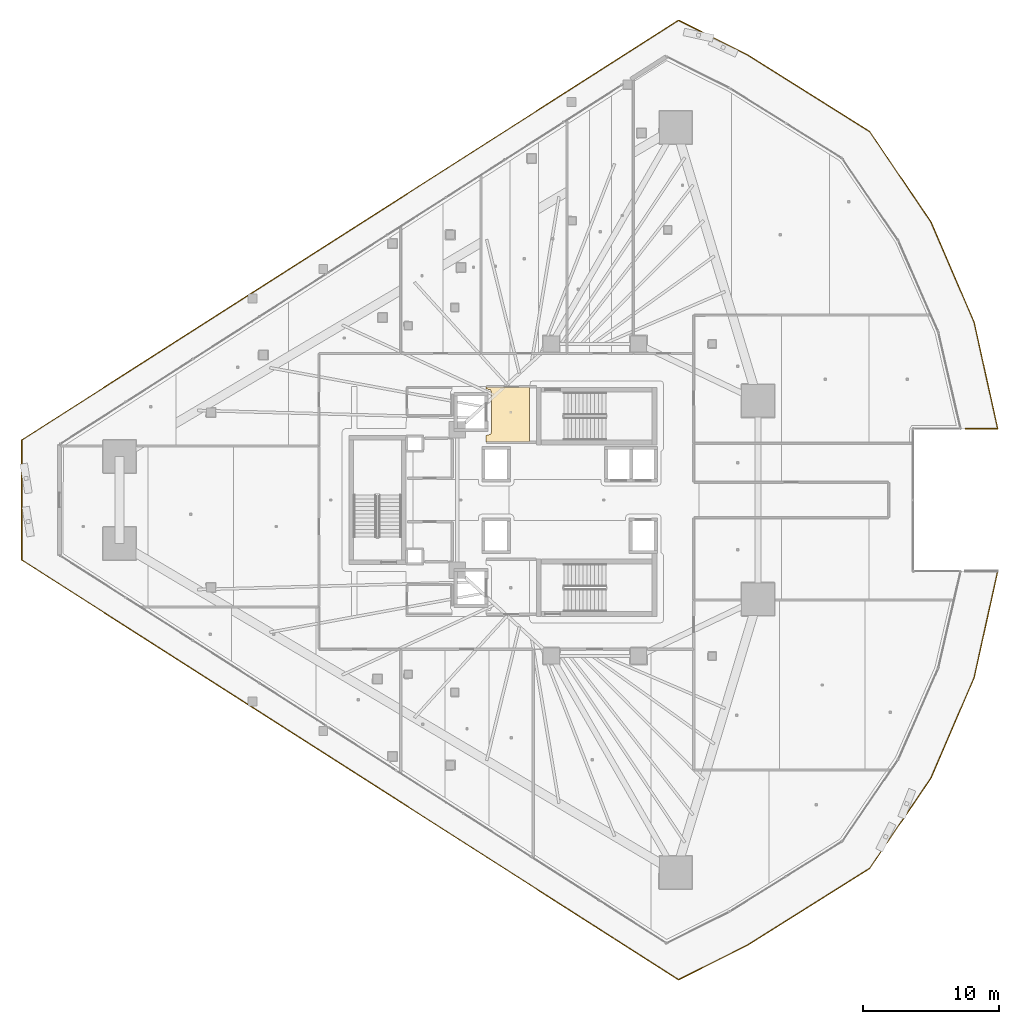
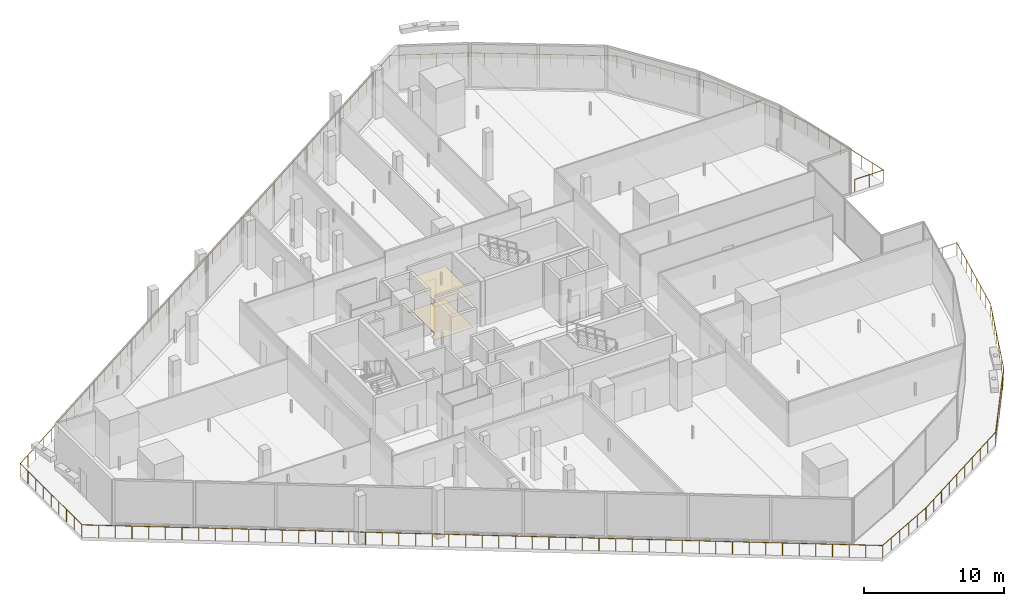
# One storey, part 43 of 45: 2 coverings, 1 railing.
"""IFC4 building model written with IfcOpenShell, lengths in metres."""

from ifc_helpers import new_model, si_unit, direction, frame, origin, origin_2d, place, context, subcontext, project, spatial, polyline, circle, outline, extrude, material, layer, layer_set, type_object, element, save


model = new_model("IFC4")

# Units and contexts
model_context = context("Model", 3, precision=1e-05, world=origin(), true_north=direction((0.0, 1.0)))
body_context = subcontext(model_context, "Body", "Model", "MODEL_VIEW")
ifc_project = project(units=[si_unit("LENGTHUNIT", "METRE"), si_unit("AREAUNIT", "SQUARE_METRE"), si_unit("VOLUMEUNIT", "CUBIC_METRE"), si_unit("PLANEANGLEUNIT", "RADIAN"), si_unit("MASSUNIT", "GRAM", prefix="KILO")], contexts=[model_context])

# Site, building, storey
site_placement = place(None, origin())
site = spatial("IfcSite", under=ifc_project, at=site_placement, CompositionType="ELEMENT")
building_placement = place(site_placement, origin())
building = spatial("IfcBuilding", under=site, at=building_placement, Name="Qorvath Tower", CompositionType="ELEMENT")
storey_placement = place(building_placement, frame((0.0, 0.0, 66.0)))
storey = spatial("IfcBuildingStorey", under=building, at=storey_placement, Name="L14", CompositionType="ELEMENT", Elevation=66.0)

# Coverings
ifc_material_1 = material(Name="Acoustic mineral fibre ceiling tile", Category="gypsum")
ifc_layer_1 = layer(ifc_material_1, 0.030029296875)
ifc_layer_set_1 = layer_set([ifc_layer_1], Name="COV-CEIL")
covering_type_1 = type_object("IfcCoveringType", Name="COV-CEIL", PredefinedType="CEILING", material=ifc_layer_set_1)
covering_1_placement = place(storey_placement, frame((0.0, 0.0, 2.85009765625)))
element("IfcCovering", 1, at=covering_1_placement, inside=storey, type_object=covering_type_1, Name="L14 Suspended Acoustic Ceiling 001", PredefinedType="CEILING", context=body_context, shape_type="SweptSolid", body=[
    extrude(outline(polyline([(-25.18994140625, 4.2548828125), (-25.18994140625, 8.294921875), (-28.375, 8.294921875), (-28.375, 8.159912109375), (-28.063232421875, 8.086669921875), (-27.989990234375, 7.909912109375), (-27.989990234375, 4.989990234375), (-28.063232421875, 4.813232421875), (-28.375, 4.739990234375), (-28.375, 4.2548828125), (-25.18994140625, 4.2548828125)])), origin(), (0.0, 0.0, 1.0), 0.030029296875),
])
ifc_material_2 = material(Name="Polished epoxy terrazzo flooring", Category="concrete")
ifc_layer_2 = layer(ifc_material_2, 0.02001953125)
ifc_layer_set_2 = layer_set([ifc_layer_2], Name="COV-FLOOR-TRZ")
covering_type_2 = type_object("IfcCoveringType", Name="COV-FLOOR-TRZ", PredefinedType="FLOORING", material=ifc_layer_set_2)
covering_2_placement = place(storey_placement, origin())
element("IfcCovering", 2, at=covering_2_placement, inside=storey, type_object=covering_type_2, Name="L14 Floor Finish 001", PredefinedType="FLOORING", context=body_context, shape_type="SweptSolid", body=[
    extrude(outline(polyline([(-25.18994140625, 4.2548828125), (-25.18994140625, 8.294921875), (-28.375, 8.294921875), (-28.375, 8.159912109375), (-28.063232421875, 8.086669921875), (-27.989990234375, 7.909912109375), (-27.989990234375, 4.989990234375), (-28.063232421875, 4.813232421875), (-28.375, 4.739990234375), (-28.375, 4.2548828125), (-25.18994140625, 4.2548828125)])), origin(), (0.0, 0.0, 1.0), 0.014892578125),
])

# Railing
ifc_material_3 = material(Name="Laminated safety glass and stainless steel AISI 316", Category="steel")
railing_type = type_object("IfcRailingType", Name="RL-EXT-GRD", PredefinedType="GUARDRAIL", material=ifc_material_3)
railing_placement = place(storey_placement, frame((9.158447265625, -5.227294921875, 0.0)))
element("IfcRailing", 3, at=railing_placement, inside=storey, type_object=railing_type, Name="Loggia Perimeter Guardrail L14-1.1", PredefinedType="GUARDRAIL", context=body_context, shape_type="SweptSolid", body=[
    extrude(circle(Radius=0.02392578125, at=origin_2d()), frame((0.0, 0.0, 1.09619140625), z_axis=(-0.216100390281, -0.976371149369, 0.0), x_axis=(0.976371149369, -0.216100390281, 0.0)), (0.0, 0.0, 1.0), 8.00439453125),
    extrude(circle(Radius=0.02392578125, at=origin_2d()), frame((-1.729736328125, -7.815185546875, 1.09619140625), z_axis=(-0.395464782779, -0.918481140569, 0.0), x_axis=(0.918481140569, -0.395464782779, 0.0)), (0.0, 0.0, 1.0), 8.004638671875),
    extrude(circle(Radius=0.02392578125, at=origin_2d()), frame((-4.895263671875, -15.167236328125, 1.09619140625), z_axis=(-0.560836680368, -0.827926456851, 0.0), x_axis=(0.827926456851, -0.560836680368, 0.0)), (0.0, 0.0, 1.0), 8.004638671875),
    extrude(circle(Radius=0.02392578125, at=origin_2d()), frame((-9.384521484375, -21.79443359375, 1.09619140625), z_axis=(-0.846498931759, -0.53239041927, 0.0), x_axis=(0.53239041927, -0.846498931759, 0.0)), (0.0, 0.0, 1.0), 10.64453125),
    extrude(circle(Radius=0.02392578125, at=origin_2d()), frame((-18.39501953125, -27.46142578125, 1.09619140625), z_axis=(-0.894418506735, -0.447230963608, 0.0), x_axis=(0.447230963608, -0.894418506735, 0.0)), (0.0, 0.0, 1.0), 5.622802734375),
    extrude(circle(Radius=0.02392578125, at=origin_2d()), frame((-23.424072265625, -29.97607421875, 1.09619140625), z_axis=(-0.842603561998, 0.53853434181, 0.0), x_axis=(-0.53853434181, -0.842603561998, 0.0)), (0.0, 0.0, 1.0), 57.19775390625),
    extrude(circle(Radius=0.02392578125, at=origin_2d()), frame((-71.619140625, 0.826904296875, 1.09619140625), z_axis=(0.0, 1.0, 0.0), x_axis=(-1.0, 0.0, 0.0)), (0.0, 0.0, 1.0), 8.80078125),
    extrude(circle(Radius=0.02392578125, at=origin_2d()), frame((-71.619140625, 9.627685546875, 1.09619140625), z_axis=(0.842603561998, 0.53853434181, 0.0), x_axis=(-0.53853434181, 0.842603561998, 0.0)), (0.0, 0.0, 1.0), 57.19775390625),
    extrude(circle(Radius=0.02392578125, at=origin_2d()), frame((-23.424072265625, 40.4306640625, 1.09619140625), z_axis=(0.894418506735, -0.447230963608, 0.0), x_axis=(0.447230963608, 0.894418506735, 0.0)), (0.0, 0.0, 1.0), 5.622802734375),
    extrude(circle(Radius=0.02392578125, at=origin_2d()), frame((-18.39501953125, 37.916015625, 1.09619140625), z_axis=(0.846498931759, -0.53239041927, 0.0), x_axis=(0.53239041927, 0.846498931759, 0.0)), (0.0, 0.0, 1.0), 10.64453125),
    extrude(circle(Radius=0.02392578125, at=origin_2d()), frame((-9.384521484375, 32.2490234375, 1.09619140625), z_axis=(0.560836680368, -0.827926456851, 0.0), x_axis=(0.827926456851, 0.560836680368, 0.0)), (0.0, 0.0, 1.0), 8.004638671875),
    extrude(circle(Radius=0.02392578125, at=origin_2d()), frame((-4.895263671875, 25.621826171875, 1.09619140625), z_axis=(0.395464782779, -0.918481140569, 0.0), x_axis=(0.918481140569, 0.395464782779, 0.0)), (0.0, 0.0, 1.0), 8.004638671875),
    extrude(circle(Radius=0.02392578125, at=origin_2d()), frame((-1.729736328125, 18.269775390625, 1.09619140625), z_axis=(0.216100390281, -0.976371149369, 0.0), x_axis=(0.976371149369, 0.216100390281, 0.0)), (0.0, 0.0, 1.0), 8.00439453125),
    extrude(circle(Radius=0.02392578125, at=origin_2d()), frame((0.0, 10.45458984375, 1.09619140625), z_axis=(-1.0, 0.0, 0.0), x_axis=(0.0, -1.0, 0.0)), (0.0, 0.0, 1.0), 2.366455078125),
    extrude(circle(Radius=0.02099609375, at=origin_2d()), origin(), (0.0, 0.0, 1.0), 1.072021484375),
    extrude(circle(Radius=0.02099609375, at=origin_2d()), frame((-0.2470703125, -1.116455078125, 0.0)), (0.0, 0.0, 1.0), 1.072021484375),
    extrude(circle(Radius=0.02099609375, at=origin_2d()), frame((-0.494140625, -2.23291015625, 0.0)), (0.0, 0.0, 1.0), 1.072021484375),
    extrude(circle(Radius=0.02099609375, at=origin_2d()), frame((-0.7412109375, -3.349365234375, 0.0)), (0.0, 0.0, 1.0), 1.072021484375),
    extrude(circle(Radius=0.02099609375, at=origin_2d()), frame((-0.988525390625, -4.4658203125, 0.0)), (0.0, 0.0, 1.0), 1.072021484375),
    extrude(circle(Radius=0.02099609375, at=origin_2d()), frame((-1.235595703125, -5.582275390625, 0.0)), (0.0, 0.0, 1.0), 1.072021484375),
    extrude(circle(Radius=0.02099609375, at=origin_2d()), frame((-1.482666015625, -6.69873046875, 0.0)), (0.0, 0.0, 1.0), 1.072021484375),
    extrude(circle(Radius=0.02099609375, at=origin_2d()), frame((-1.729736328125, -7.815185546875, 0.0)), (0.0, 0.0, 1.0), 1.072021484375),
    extrude(circle(Radius=0.02099609375, at=origin_2d()), frame((-2.181884765625, -8.865478515625, 0.0)), (0.0, 0.0, 1.0), 1.072021484375),
    extrude(circle(Radius=0.02099609375, at=origin_2d()), frame((-2.63427734375, -9.915771484375, 0.0)), (0.0, 0.0, 1.0), 1.072021484375),
    extrude(circle(Radius=0.02099609375, at=origin_2d()), frame((-3.08642578125, -10.966064453125, 0.0)), (0.0, 0.0, 1.0), 1.072021484375),
    extrude(circle(Radius=0.02099609375, at=origin_2d()), frame((-3.53857421875, -12.016357421875, 0.0)), (0.0, 0.0, 1.0), 1.072021484375),
    extrude(circle(Radius=0.02099609375, at=origin_2d()), frame((-3.99072265625, -13.066650390625, 0.0)), (0.0, 0.0, 1.0), 1.072021484375),
    extrude(circle(Radius=0.02099609375, at=origin_2d()), frame((-4.443115234375, -14.116943359375, 0.0)), (0.0, 0.0, 1.0), 1.072021484375),
    extrude(circle(Radius=0.02099609375, at=origin_2d()), frame((-4.895263671875, -15.167236328125, 0.0)), (0.0, 0.0, 1.0), 1.072021484375),
    extrude(circle(Radius=0.02099609375, at=origin_2d()), frame((-5.53662109375, -16.114013671875, 0.0)), (0.0, 0.0, 1.0), 1.072021484375),
    extrude(circle(Radius=0.02099609375, at=origin_2d()), frame((-6.177978515625, -17.060791015625, 0.0)), (0.0, 0.0, 1.0), 1.072021484375),
    extrude(circle(Radius=0.02099609375, at=origin_2d()), frame((-6.8193359375, -18.007568359375, 0.0)), (0.0, 0.0, 1.0), 1.072021484375),
    extrude(circle(Radius=0.02099609375, at=origin_2d()), frame((-7.46044921875, -18.9541015625, 0.0)), (0.0, 0.0, 1.0), 1.072021484375),
    extrude(circle(Radius=0.02099609375, at=origin_2d()), frame((-8.101806640625, -19.90087890625, 0.0)), (0.0, 0.0, 1.0), 1.072021484375),
    extrude(circle(Radius=0.02099609375, at=origin_2d()), frame((-8.7431640625, -20.84765625, 0.0)), (0.0, 0.0, 1.0), 1.072021484375),
    extrude(circle(Radius=0.02099609375, at=origin_2d()), frame((-9.384521484375, -21.79443359375, 0.0)), (0.0, 0.0, 1.0), 1.072021484375),
    extrude(circle(Radius=0.02099609375, at=origin_2d()), frame((-10.3857421875, -22.424072265625, 0.0)), (0.0, 0.0, 1.0), 1.072021484375),
    extrude(circle(Radius=0.02099609375, at=origin_2d()), frame((-11.386962890625, -23.0537109375, 0.0)), (0.0, 0.0, 1.0), 1.072021484375),
    extrude(circle(Radius=0.02099609375, at=origin_2d()), frame((-12.387939453125, -23.683349609375, 0.0)), (0.0, 0.0, 1.0), 1.072021484375),
    extrude(circle(Radius=0.02099609375, at=origin_2d()), frame((-13.38916015625, -24.31298828125, 0.0)), (0.0, 0.0, 1.0), 1.072021484375),
    extrude(circle(Radius=0.02099609375, at=origin_2d()), frame((-14.390380859375, -24.94287109375, 0.0)), (0.0, 0.0, 1.0), 1.072021484375),
    extrude(circle(Radius=0.02099609375, at=origin_2d()), frame((-15.3916015625, -25.572509765625, 0.0)), (0.0, 0.0, 1.0), 1.072021484375),
    extrude(circle(Radius=0.02099609375, at=origin_2d()), frame((-16.392578125, -26.2021484375, 0.0)), (0.0, 0.0, 1.0), 1.072021484375),
    extrude(circle(Radius=0.02099609375, at=origin_2d()), frame((-17.393798828125, -26.831787109375, 0.0)), (0.0, 0.0, 1.0), 1.072021484375),
    extrude(circle(Radius=0.02099609375, at=origin_2d()), frame((-18.39501953125, -27.46142578125, 0.0)), (0.0, 0.0, 1.0), 1.072021484375),
    extrude(circle(Radius=0.02099609375, at=origin_2d()), frame((-19.40087890625, -27.96435546875, 0.0)), (0.0, 0.0, 1.0), 1.072021484375),
    extrude(circle(Radius=0.02099609375, at=origin_2d()), frame((-20.40673828125, -28.46728515625, 0.0)), (0.0, 0.0, 1.0), 1.072021484375),
    extrude(circle(Radius=0.02099609375, at=origin_2d()), frame((-21.412353515625, -28.97021484375, 0.0)), (0.0, 0.0, 1.0), 1.072021484375),
    extrude(circle(Radius=0.02099609375, at=origin_2d()), frame((-22.418212890625, -29.47314453125, 0.0)), (0.0, 0.0, 1.0), 1.072021484375),
    extrude(circle(Radius=0.02099609375, at=origin_2d()), frame((-23.424072265625, -29.97607421875, 0.0)), (0.0, 0.0, 1.0), 1.072021484375),
    extrude(circle(Radius=0.02099609375, at=origin_2d()), frame((-24.42822265625, -29.334228515625, 0.0)), (0.0, 0.0, 1.0), 1.072021484375),
    extrude(circle(Radius=0.02099609375, at=origin_2d()), frame((-25.43212890625, -28.692626953125, 0.0)), (0.0, 0.0, 1.0), 1.072021484375),
    extrude(circle(Radius=0.02099609375, at=origin_2d()), frame((-26.436279296875, -28.05078125, 0.0)), (0.0, 0.0, 1.0), 1.072021484375),
    extrude(circle(Radius=0.02099609375, at=origin_2d()), frame((-27.4404296875, -27.4091796875, 0.0)), (0.0, 0.0, 1.0), 1.072021484375),
    extrude(circle(Radius=0.02099609375, at=origin_2d()), frame((-28.4443359375, -26.767333984375, 0.0)), (0.0, 0.0, 1.0), 1.072021484375),
    extrude(circle(Radius=0.02099609375, at=origin_2d()), frame((-29.448486328125, -26.125732421875, 0.0)), (0.0, 0.0, 1.0), 1.072021484375),
    extrude(circle(Radius=0.02099609375, at=origin_2d()), frame((-30.45263671875, -25.48388671875, 0.0)), (0.0, 0.0, 1.0), 1.072021484375),
    extrude(circle(Radius=0.02099609375, at=origin_2d()), frame((-31.45654296875, -24.84228515625, 0.0)), (0.0, 0.0, 1.0), 1.072021484375),
    extrude(circle(Radius=0.02099609375, at=origin_2d()), frame((-32.460693359375, -24.200439453125, 0.0)), (0.0, 0.0, 1.0), 1.072021484375),
    extrude(circle(Radius=0.02099609375, at=origin_2d()), frame((-33.464599609375, -23.558837890625, 0.0)), (0.0, 0.0, 1.0), 1.072021484375),
    extrude(circle(Radius=0.02099609375, at=origin_2d()), frame((-34.46875, -22.9169921875, 0.0)), (0.0, 0.0, 1.0), 1.072021484375),
    extrude(circle(Radius=0.02099609375, at=origin_2d()), frame((-35.472900390625, -22.275390625, 0.0)), (0.0, 0.0, 1.0), 1.072021484375),
    extrude(circle(Radius=0.02099609375, at=origin_2d()), frame((-36.476806640625, -21.633544921875, 0.0)), (0.0, 0.0, 1.0), 1.072021484375),
    extrude(circle(Radius=0.02099609375, at=origin_2d()), frame((-37.48095703125, -20.991943359375, 0.0)), (0.0, 0.0, 1.0), 1.072021484375),
    extrude(circle(Radius=0.02099609375, at=origin_2d()), frame((-38.485107421875, -20.35009765625, 0.0)), (0.0, 0.0, 1.0), 1.072021484375),
    extrude(circle(Radius=0.02099609375, at=origin_2d()), frame((-39.489013671875, -19.70849609375, 0.0)), (0.0, 0.0, 1.0), 1.072021484375),
    extrude(circle(Radius=0.02099609375, at=origin_2d()), frame((-40.4931640625, -19.066650390625, 0.0)), (0.0, 0.0, 1.0), 1.072021484375),
    extrude(circle(Radius=0.02099609375, at=origin_2d()), frame((-41.497314453125, -18.425048828125, 0.0)), (0.0, 0.0, 1.0), 1.072021484375),
    extrude(circle(Radius=0.02099609375, at=origin_2d()), frame((-42.501220703125, -17.783203125, 0.0)), (0.0, 0.0, 1.0), 1.072021484375),
    extrude(circle(Radius=0.02099609375, at=origin_2d()), frame((-43.50537109375, -17.1416015625, 0.0)), (0.0, 0.0, 1.0), 1.072021484375),
    extrude(circle(Radius=0.02099609375, at=origin_2d()), frame((-44.509521484375, -16.499755859375, 0.0)), (0.0, 0.0, 1.0), 1.072021484375),
    extrude(circle(Radius=0.02099609375, at=origin_2d()), frame((-45.513427734375, -15.858154296875, 0.0)), (0.0, 0.0, 1.0), 1.072021484375),
    extrude(circle(Radius=0.02099609375, at=origin_2d()), frame((-46.517578125, -15.21630859375, 0.0)), (0.0, 0.0, 1.0), 1.072021484375),
    extrude(circle(Radius=0.02099609375, at=origin_2d()), frame((-47.521484375, -14.57470703125, 0.0)), (0.0, 0.0, 1.0), 1.072021484375),
    extrude(circle(Radius=0.02099609375, at=origin_2d()), frame((-48.525634765625, -13.932861328125, 0.0)), (0.0, 0.0, 1.0), 1.072021484375),
    extrude(circle(Radius=0.02099609375, at=origin_2d()), frame((-49.52978515625, -13.291015625, 0.0)), (0.0, 0.0, 1.0), 1.072021484375),
    extrude(circle(Radius=0.02099609375, at=origin_2d()), frame((-50.53369140625, -12.6494140625, 0.0)), (0.0, 0.0, 1.0), 1.072021484375),
    extrude(circle(Radius=0.02099609375, at=origin_2d()), frame((-51.537841796875, -12.007568359375, 0.0)), (0.0, 0.0, 1.0), 1.072021484375),
    extrude(circle(Radius=0.02099609375, at=origin_2d()), frame((-52.5419921875, -11.365966796875, 0.0)), (0.0, 0.0, 1.0), 1.072021484375),
    extrude(circle(Radius=0.02099609375, at=origin_2d()), frame((-53.5458984375, -10.72412109375, 0.0)), (0.0, 0.0, 1.0), 1.072021484375),
    extrude(circle(Radius=0.02099609375, at=origin_2d()), frame((-54.550048828125, -10.08251953125, 0.0)), (0.0, 0.0, 1.0), 1.072021484375),
    extrude(circle(Radius=0.02099609375, at=origin_2d()), frame((-55.55419921875, -9.440673828125, 0.0)), (0.0, 0.0, 1.0), 1.072021484375),
    extrude(circle(Radius=0.02099609375, at=origin_2d()), frame((-56.55810546875, -8.799072265625, 0.0)), (0.0, 0.0, 1.0), 1.072021484375),
    extrude(circle(Radius=0.02099609375, at=origin_2d()), frame((-57.562255859375, -8.1572265625, 0.0)), (0.0, 0.0, 1.0), 1.072021484375),
    extrude(circle(Radius=0.02099609375, at=origin_2d()), frame((-58.56640625, -7.515625, 0.0)), (0.0, 0.0, 1.0), 1.072021484375),
    extrude(circle(Radius=0.02099609375, at=origin_2d()), frame((-59.5703125, -6.873779296875, 0.0)), (0.0, 0.0, 1.0), 1.072021484375),
    extrude(circle(Radius=0.02099609375, at=origin_2d()), frame((-60.574462890625, -6.232177734375, 0.0)), (0.0, 0.0, 1.0), 1.072021484375),
    extrude(circle(Radius=0.02099609375, at=origin_2d()), frame((-61.57861328125, -5.59033203125, 0.0)), (0.0, 0.0, 1.0), 1.072021484375),
    extrude(circle(Radius=0.02099609375, at=origin_2d()), frame((-62.58251953125, -4.94873046875, 0.0)), (0.0, 0.0, 1.0), 1.072021484375),
    extrude(circle(Radius=0.02099609375, at=origin_2d()), frame((-63.586669921875, -4.306884765625, 0.0)), (0.0, 0.0, 1.0), 1.072021484375),
    extrude(circle(Radius=0.02099609375, at=origin_2d()), frame((-64.590576171875, -3.665283203125, 0.0)), (0.0, 0.0, 1.0), 1.072021484375),
    extrude(circle(Radius=0.02099609375, at=origin_2d()), frame((-65.5947265625, -3.0234375, 0.0)), (0.0, 0.0, 1.0), 1.072021484375),
    extrude(circle(Radius=0.02099609375, at=origin_2d()), frame((-66.598876953125, -2.3818359375, 0.0)), (0.0, 0.0, 1.0), 1.072021484375),
    extrude(circle(Radius=0.02099609375, at=origin_2d()), frame((-67.602783203125, -1.739990234375, 0.0)), (0.0, 0.0, 1.0), 1.072021484375),
    extrude(circle(Radius=0.02099609375, at=origin_2d()), frame((-68.60693359375, -1.098388671875, 0.0)), (0.0, 0.0, 1.0), 1.072021484375),
    extrude(circle(Radius=0.02099609375, at=origin_2d()), frame((-69.611083984375, -0.45654296875, 0.0)), (0.0, 0.0, 1.0), 1.072021484375),
    extrude(circle(Radius=0.02099609375, at=origin_2d()), frame((-70.614990234375, 0.18505859375, 0.0)), (0.0, 0.0, 1.0), 1.072021484375),
    extrude(circle(Radius=0.02099609375, at=origin_2d()), frame((-71.619140625, 0.826904296875, 0.0)), (0.0, 0.0, 1.0), 1.072021484375),
    extrude(circle(Radius=0.02099609375, at=origin_2d()), frame((-71.619140625, 1.927001953125, 0.0)), (0.0, 0.0, 1.0), 1.072021484375),
    extrude(circle(Radius=0.02099609375, at=origin_2d()), frame((-71.619140625, 3.027099609375, 0.0)), (0.0, 0.0, 1.0), 1.072021484375),
    extrude(circle(Radius=0.02099609375, at=origin_2d()), frame((-71.619140625, 4.127197265625, 0.0)), (0.0, 0.0, 1.0), 1.072021484375),
    extrude(circle(Radius=0.02099609375, at=origin_2d()), frame((-71.619140625, 5.227294921875, 0.0)), (0.0, 0.0, 1.0), 1.072021484375),
    extrude(circle(Radius=0.02099609375, at=origin_2d()), frame((-71.619140625, 6.327392578125, 0.0)), (0.0, 0.0, 1.0), 1.072021484375),
    extrude(circle(Radius=0.02099609375, at=origin_2d()), frame((-71.619140625, 7.427490234375, 0.0)), (0.0, 0.0, 1.0), 1.072021484375),
    extrude(circle(Radius=0.02099609375, at=origin_2d()), frame((-71.619140625, 8.527587890625, 0.0)), (0.0, 0.0, 1.0), 1.072021484375),
    extrude(circle(Radius=0.02099609375, at=origin_2d()), frame((-71.619140625, 9.627685546875, 0.0)), (0.0, 0.0, 1.0), 1.072021484375),
    extrude(circle(Radius=0.02099609375, at=origin_2d()), frame((-70.614990234375, 10.26953125, 0.0)), (0.0, 0.0, 1.0), 1.072021484375),
    extrude(circle(Radius=0.02099609375, at=origin_2d()), frame((-69.611083984375, 10.9111328125, 0.0)), (0.0, 0.0, 1.0), 1.072021484375),
    extrude(circle(Radius=0.02099609375, at=origin_2d()), frame((-68.60693359375, 11.552978515625, 0.0)), (0.0, 0.0, 1.0), 1.072021484375),
    extrude(circle(Radius=0.02099609375, at=origin_2d()), frame((-67.602783203125, 12.194580078125, 0.0)), (0.0, 0.0, 1.0), 1.072021484375),
    extrude(circle(Radius=0.02099609375, at=origin_2d()), frame((-66.598876953125, 12.83642578125, 0.0)), (0.0, 0.0, 1.0), 1.072021484375),
    extrude(circle(Radius=0.02099609375, at=origin_2d()), frame((-65.5947265625, 13.47802734375, 0.0)), (0.0, 0.0, 1.0), 1.072021484375),
    extrude(circle(Radius=0.02099609375, at=origin_2d()), frame((-64.590576171875, 14.119873046875, 0.0)), (0.0, 0.0, 1.0), 1.072021484375),
    extrude(circle(Radius=0.02099609375, at=origin_2d()), frame((-63.586669921875, 14.761474609375, 0.0)), (0.0, 0.0, 1.0), 1.072021484375),
    extrude(circle(Radius=0.02099609375, at=origin_2d()), frame((-62.58251953125, 15.4033203125, 0.0)), (0.0, 0.0, 1.0), 1.072021484375),
    extrude(circle(Radius=0.02099609375, at=origin_2d()), frame((-61.57861328125, 16.044921875, 0.0)), (0.0, 0.0, 1.0), 1.072021484375),
    extrude(circle(Radius=0.02099609375, at=origin_2d()), frame((-60.574462890625, 16.686767578125, 0.0)), (0.0, 0.0, 1.0), 1.072021484375),
    extrude(circle(Radius=0.02099609375, at=origin_2d()), frame((-59.5703125, 17.328369140625, 0.0)), (0.0, 0.0, 1.0), 1.072021484375),
    extrude(circle(Radius=0.02099609375, at=origin_2d()), frame((-58.56640625, 17.97021484375, 0.0)), (0.0, 0.0, 1.0), 1.072021484375),
    extrude(circle(Radius=0.02099609375, at=origin_2d()), frame((-57.562255859375, 18.61181640625, 0.0)), (0.0, 0.0, 1.0), 1.072021484375),
    extrude(circle(Radius=0.02099609375, at=origin_2d()), frame((-56.55810546875, 19.253662109375, 0.0)), (0.0, 0.0, 1.0), 1.072021484375),
    extrude(circle(Radius=0.02099609375, at=origin_2d()), frame((-55.55419921875, 19.895263671875, 0.0)), (0.0, 0.0, 1.0), 1.072021484375),
    extrude(circle(Radius=0.02099609375, at=origin_2d()), frame((-54.550048828125, 20.537109375, 0.0)), (0.0, 0.0, 1.0), 1.072021484375),
    extrude(circle(Radius=0.02099609375, at=origin_2d()), frame((-53.5458984375, 21.1787109375, 0.0)), (0.0, 0.0, 1.0), 1.072021484375),
    extrude(circle(Radius=0.02099609375, at=origin_2d()), frame((-52.5419921875, 21.820556640625, 0.0)), (0.0, 0.0, 1.0), 1.072021484375),
    extrude(circle(Radius=0.02099609375, at=origin_2d()), frame((-51.537841796875, 22.462158203125, 0.0)), (0.0, 0.0, 1.0), 1.072021484375),
    extrude(circle(Radius=0.02099609375, at=origin_2d()), frame((-50.53369140625, 23.10400390625, 0.0)), (0.0, 0.0, 1.0), 1.072021484375),
    extrude(circle(Radius=0.02099609375, at=origin_2d()), frame((-49.52978515625, 23.74560546875, 0.0)), (0.0, 0.0, 1.0), 1.072021484375),
    extrude(circle(Radius=0.02099609375, at=origin_2d()), frame((-48.525634765625, 24.387451171875, 0.0)), (0.0, 0.0, 1.0), 1.072021484375),
    extrude(circle(Radius=0.02099609375, at=origin_2d()), frame((-47.521484375, 25.029296875, 0.0)), (0.0, 0.0, 1.0), 1.072021484375),
    extrude(circle(Radius=0.02099609375, at=origin_2d()), frame((-46.517578125, 25.6708984375, 0.0)), (0.0, 0.0, 1.0), 1.072021484375),
    extrude(circle(Radius=0.02099609375, at=origin_2d()), frame((-45.513427734375, 26.312744140625, 0.0)), (0.0, 0.0, 1.0), 1.072021484375),
    extrude(circle(Radius=0.02099609375, at=origin_2d()), frame((-44.509521484375, 26.954345703125, 0.0)), (0.0, 0.0, 1.0), 1.072021484375),
    extrude(circle(Radius=0.02099609375, at=origin_2d()), frame((-43.50537109375, 27.59619140625, 0.0)), (0.0, 0.0, 1.0), 1.072021484375),
    extrude(circle(Radius=0.02099609375, at=origin_2d()), frame((-42.501220703125, 28.23779296875, 0.0)), (0.0, 0.0, 1.0), 1.072021484375),
    extrude(circle(Radius=0.02099609375, at=origin_2d()), frame((-41.497314453125, 28.879638671875, 0.0)), (0.0, 0.0, 1.0), 1.072021484375),
    extrude(circle(Radius=0.02099609375, at=origin_2d()), frame((-40.4931640625, 29.521240234375, 0.0)), (0.0, 0.0, 1.0), 1.072021484375),
    extrude(circle(Radius=0.02099609375, at=origin_2d()), frame((-39.489013671875, 30.1630859375, 0.0)), (0.0, 0.0, 1.0), 1.072021484375),
    extrude(circle(Radius=0.02099609375, at=origin_2d()), frame((-38.485107421875, 30.8046875, 0.0)), (0.0, 0.0, 1.0), 1.072021484375),
    extrude(circle(Radius=0.02099609375, at=origin_2d()), frame((-37.48095703125, 31.446533203125, 0.0)), (0.0, 0.0, 1.0), 1.072021484375),
    extrude(circle(Radius=0.02099609375, at=origin_2d()), frame((-36.476806640625, 32.088134765625, 0.0)), (0.0, 0.0, 1.0), 1.072021484375),
    extrude(circle(Radius=0.02099609375, at=origin_2d()), frame((-35.472900390625, 32.72998046875, 0.0)), (0.0, 0.0, 1.0), 1.072021484375),
    extrude(circle(Radius=0.02099609375, at=origin_2d()), frame((-34.46875, 33.37158203125, 0.0)), (0.0, 0.0, 1.0), 1.072021484375),
    extrude(circle(Radius=0.02099609375, at=origin_2d()), frame((-33.464599609375, 34.013427734375, 0.0)), (0.0, 0.0, 1.0), 1.072021484375),
    extrude(circle(Radius=0.02099609375, at=origin_2d()), frame((-32.460693359375, 34.655029296875, 0.0)), (0.0, 0.0, 1.0), 1.072021484375),
    extrude(circle(Radius=0.02099609375, at=origin_2d()), frame((-31.45654296875, 35.296875, 0.0)), (0.0, 0.0, 1.0), 1.072021484375),
    extrude(circle(Radius=0.02099609375, at=origin_2d()), frame((-30.45263671875, 35.9384765625, 0.0)), (0.0, 0.0, 1.0), 1.072021484375),
    extrude(circle(Radius=0.02099609375, at=origin_2d()), frame((-29.448486328125, 36.580322265625, 0.0)), (0.0, 0.0, 1.0), 1.072021484375),
    extrude(circle(Radius=0.02099609375, at=origin_2d()), frame((-28.4443359375, 37.221923828125, 0.0)), (0.0, 0.0, 1.0), 1.072021484375),
    extrude(circle(Radius=0.02099609375, at=origin_2d()), frame((-27.4404296875, 37.86376953125, 0.0)), (0.0, 0.0, 1.0), 1.072021484375),
    extrude(circle(Radius=0.02099609375, at=origin_2d()), frame((-26.436279296875, 38.50537109375, 0.0)), (0.0, 0.0, 1.0), 1.072021484375),
    extrude(circle(Radius=0.02099609375, at=origin_2d()), frame((-25.43212890625, 39.147216796875, 0.0)), (0.0, 0.0, 1.0), 1.072021484375),
    extrude(circle(Radius=0.02099609375, at=origin_2d()), frame((-24.42822265625, 39.788818359375, 0.0)), (0.0, 0.0, 1.0), 1.072021484375),
    extrude(circle(Radius=0.02099609375, at=origin_2d()), frame((-23.424072265625, 40.4306640625, 0.0)), (0.0, 0.0, 1.0), 1.072021484375),
    extrude(circle(Radius=0.02099609375, at=origin_2d()), frame((-22.418212890625, 39.927734375, 0.0)), (0.0, 0.0, 1.0), 1.072021484375),
    extrude(circle(Radius=0.02099609375, at=origin_2d()), frame((-21.412353515625, 39.4248046875, 0.0)), (0.0, 0.0, 1.0), 1.072021484375),
    extrude(circle(Radius=0.02099609375, at=origin_2d()), frame((-20.40673828125, 38.921875, 0.0)), (0.0, 0.0, 1.0), 1.072021484375),
    extrude(circle(Radius=0.02099609375, at=origin_2d()), frame((-19.40087890625, 38.4189453125, 0.0)), (0.0, 0.0, 1.0), 1.072021484375),
    extrude(circle(Radius=0.02099609375, at=origin_2d()), frame((-18.39501953125, 37.916015625, 0.0)), (0.0, 0.0, 1.0), 1.072021484375),
    extrude(circle(Radius=0.02099609375, at=origin_2d()), frame((-17.393798828125, 37.286376953125, 0.0)), (0.0, 0.0, 1.0), 1.072021484375),
    extrude(circle(Radius=0.02099609375, at=origin_2d()), frame((-16.392578125, 36.65673828125, 0.0)), (0.0, 0.0, 1.0), 1.072021484375),
    extrude(circle(Radius=0.02099609375, at=origin_2d()), frame((-15.3916015625, 36.027099609375, 0.0)), (0.0, 0.0, 1.0), 1.072021484375),
    extrude(circle(Radius=0.02099609375, at=origin_2d()), frame((-14.390380859375, 35.3974609375, 0.0)), (0.0, 0.0, 1.0), 1.072021484375),
    extrude(circle(Radius=0.02099609375, at=origin_2d()), frame((-13.38916015625, 34.767578125, 0.0)), (0.0, 0.0, 1.0), 1.072021484375),
    extrude(circle(Radius=0.02099609375, at=origin_2d()), frame((-12.387939453125, 34.137939453125, 0.0)), (0.0, 0.0, 1.0), 1.072021484375),
    extrude(circle(Radius=0.02099609375, at=origin_2d()), frame((-11.386962890625, 33.50830078125, 0.0)), (0.0, 0.0, 1.0), 1.072021484375),
    extrude(circle(Radius=0.02099609375, at=origin_2d()), frame((-10.3857421875, 32.878662109375, 0.0)), (0.0, 0.0, 1.0), 1.072021484375),
    extrude(circle(Radius=0.02099609375, at=origin_2d()), frame((-9.384521484375, 32.2490234375, 0.0)), (0.0, 0.0, 1.0), 1.072021484375),
    extrude(circle(Radius=0.02099609375, at=origin_2d()), frame((-8.7431640625, 31.30224609375, 0.0)), (0.0, 0.0, 1.0), 1.072021484375),
    extrude(circle(Radius=0.02099609375, at=origin_2d()), frame((-8.101806640625, 30.35546875, 0.0)), (0.0, 0.0, 1.0), 1.072021484375),
    extrude(circle(Radius=0.02099609375, at=origin_2d()), frame((-7.46044921875, 29.40869140625, 0.0)), (0.0, 0.0, 1.0), 1.072021484375),
    extrude(circle(Radius=0.02099609375, at=origin_2d()), frame((-6.8193359375, 28.462158203125, 0.0)), (0.0, 0.0, 1.0), 1.072021484375),
    extrude(circle(Radius=0.02099609375, at=origin_2d()), frame((-6.177978515625, 27.515380859375, 0.0)), (0.0, 0.0, 1.0), 1.072021484375),
    extrude(circle(Radius=0.02099609375, at=origin_2d()), frame((-5.53662109375, 26.568603515625, 0.0)), (0.0, 0.0, 1.0), 1.072021484375),
    extrude(circle(Radius=0.02099609375, at=origin_2d()), frame((-4.895263671875, 25.621826171875, 0.0)), (0.0, 0.0, 1.0), 1.072021484375),
    extrude(circle(Radius=0.02099609375, at=origin_2d()), frame((-4.443115234375, 24.571533203125, 0.0)), (0.0, 0.0, 1.0), 1.072021484375),
    extrude(circle(Radius=0.02099609375, at=origin_2d()), frame((-3.99072265625, 23.521240234375, 0.0)), (0.0, 0.0, 1.0), 1.072021484375),
    extrude(circle(Radius=0.02099609375, at=origin_2d()), frame((-3.53857421875, 22.470947265625, 0.0)), (0.0, 0.0, 1.0), 1.072021484375),
    extrude(circle(Radius=0.02099609375, at=origin_2d()), frame((-3.08642578125, 21.420654296875, 0.0)), (0.0, 0.0, 1.0), 1.072021484375),
    extrude(circle(Radius=0.02099609375, at=origin_2d()), frame((-2.63427734375, 20.370361328125, 0.0)), (0.0, 0.0, 1.0), 1.072021484375),
    extrude(circle(Radius=0.02099609375, at=origin_2d()), frame((-2.181884765625, 19.320068359375, 0.0)), (0.0, 0.0, 1.0), 1.072021484375),
    extrude(circle(Radius=0.02099609375, at=origin_2d()), frame((-1.729736328125, 18.269775390625, 0.0)), (0.0, 0.0, 1.0), 1.072021484375),
    extrude(circle(Radius=0.02099609375, at=origin_2d()), frame((-1.482666015625, 17.1533203125, 0.0)), (0.0, 0.0, 1.0), 1.072021484375),
    extrude(circle(Radius=0.02099609375, at=origin_2d()), frame((-1.235595703125, 16.036865234375, 0.0)), (0.0, 0.0, 1.0), 1.072021484375),
    extrude(circle(Radius=0.02099609375, at=origin_2d()), frame((-0.988525390625, 14.92041015625, 0.0)), (0.0, 0.0, 1.0), 1.072021484375),
    extrude(circle(Radius=0.02099609375, at=origin_2d()), frame((-0.7412109375, 13.803955078125, 0.0)), (0.0, 0.0, 1.0), 1.072021484375),
    extrude(circle(Radius=0.02099609375, at=origin_2d()), frame((-0.494140625, 12.6875, 0.0)), (0.0, 0.0, 1.0), 1.072021484375),
    extrude(circle(Radius=0.02099609375, at=origin_2d()), frame((-0.2470703125, 11.571044921875, 0.0)), (0.0, 0.0, 1.0), 1.072021484375),
    extrude(circle(Radius=0.02099609375, at=origin_2d()), frame((0.0, 10.45458984375, 0.0)), (0.0, 0.0, 1.0), 1.072021484375),
    extrude(circle(Radius=0.02099609375, at=origin_2d()), frame((-1.18310546875, 10.45458984375, 0.0)), (0.0, 0.0, 1.0), 1.072021484375),
    extrude(circle(Radius=0.02099609375, at=origin_2d()), frame((-2.366455078125, 10.45458984375, 0.0)), (0.0, 0.0, 1.0), 1.072021484375),
])

save(model, "model.ifc")
